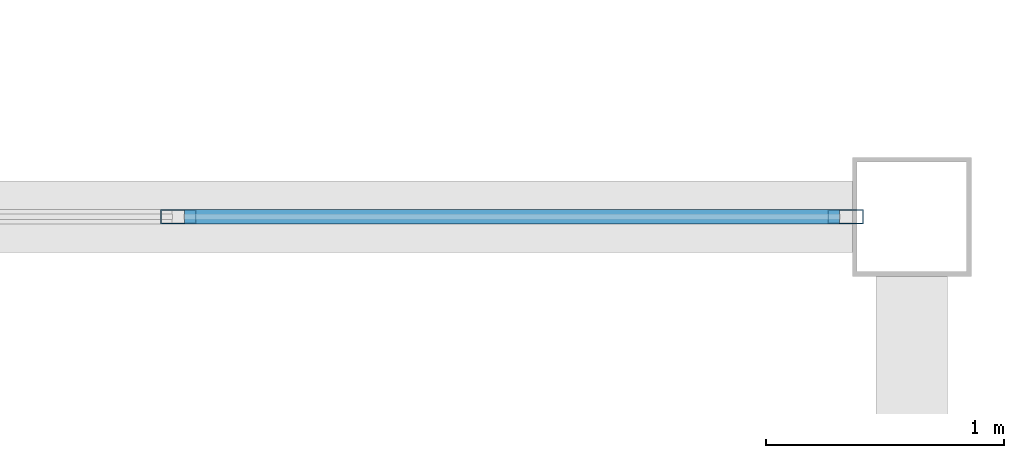
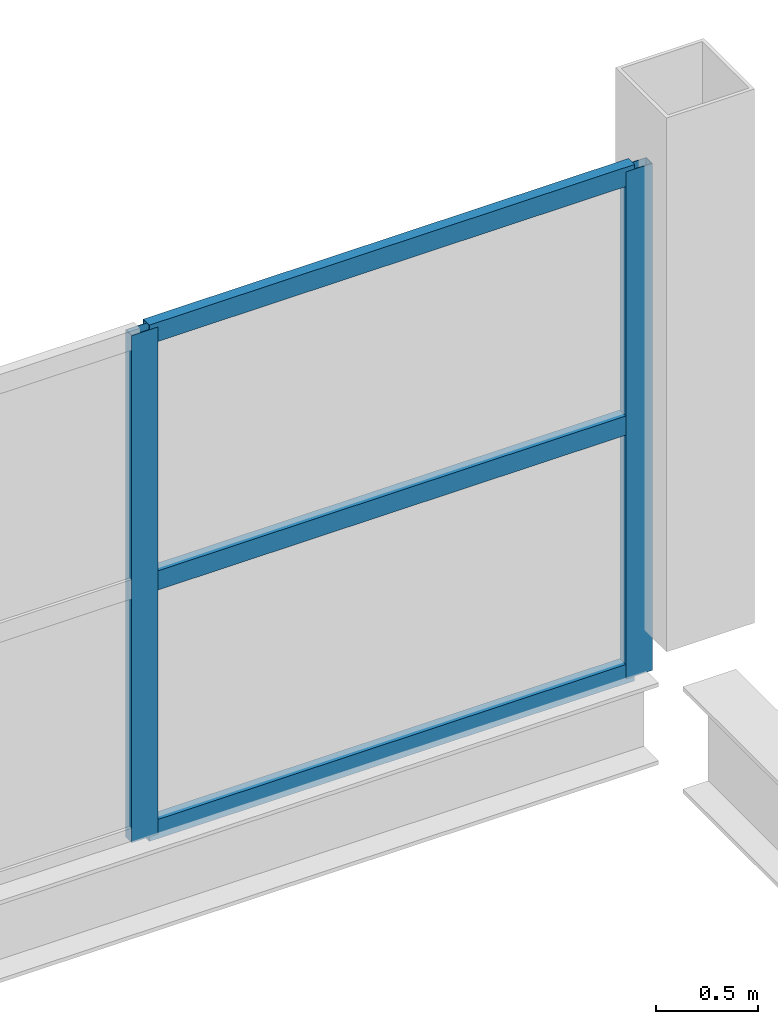
# One storey, part 50 of 134: 5 members, 1 element without a shape of its own.
"""IFC4 building model written with IfcOpenShell, lengths in metres."""

from ifc_helpers import new_model, si_unit, direction, frame, origin, origin_2d, place, context, subcontext, project, spatial, hollow_rectangle, extrude, material, layer, layer_set, material_profile, profile_set, type_object, element, aggregate, save


model = new_model("IFC4")

# Units and contexts
model_context = context("Model", 3, precision=1e-05, world=origin(), true_north=direction((0.0, 1.0)))
body_context = subcontext(model_context, "Body", "Model", "MODEL_VIEW")
ifc_project = project(units=[si_unit("LENGTHUNIT", "METRE"), si_unit("AREAUNIT", "SQUARE_METRE"), si_unit("VOLUMEUNIT", "CUBIC_METRE"), si_unit("PLANEANGLEUNIT", "RADIAN"), si_unit("MASSUNIT", "GRAM", prefix="KILO")], contexts=[model_context])

# Site, building, storey
site_placement = place(None, origin())
site = spatial("IfcSite", under=ifc_project, at=site_placement, CompositionType="ELEMENT")
building_placement = place(site_placement, origin())
building = spatial("IfcBuilding", under=site, at=building_placement, Name="Tamarisk Ironworks Central Station", CompositionType="ELEMENT")
storey_placement = place(building_placement, frame((0.0, 0.0, 12.60009765625)))
storey = spatial("IfcBuildingStorey", under=building, at=storey_placement, Name="L02", CompositionType="ELEMENT", Elevation=12.60009765625)

# Curtain wall, members
ifc_material = material(Name="Anodized aluminium alloy 6063-T6", Category="aluminium")
ifc_layer = layer(ifc_material, 0.179931640625)
ifc_layer_set = layer_set([ifc_layer], Name="Anodized aluminium alloy 6063-T6")
curtain_wall_type = type_object("IfcCurtainWallType", Name="CW-08", PredefinedType="USERDEFINED", material=ifc_layer_set)
curtain_wall_placement = place(storey_placement, origin())
curtain_wall = element("IfcCurtainWall", 1, at=curtain_wall_placement, inside=storey, type_object=curtain_wall_type, Name="Train shed WN clerestory curtain wall 036", ObjectType="GLAZED CURTAIN WALL", PredefinedType="USERDEFINED")
ifc_material_profile_1 = material_profile(ifc_material, hollow_rectangle(XDim=0.06005859375, YDim=0.14990234375, WallThickness=0.00341796875, at=origin_2d()), Name="ALUM 150x60")
ifc_profile_set_1 = profile_set([ifc_material_profile_1], Name="Anodized aluminium alloy 6063-T6")
member_type_1 = type_object("IfcMemberType", Name="CWM-03", PredefinedType="MULLION", material=ifc_profile_set_1)
member_1_placement = place(storey_placement, frame((41.918701171875, 79.199951171875, -0.260009765625), z_axis=(0.0, 0.0, 1.0), x_axis=(0.0, 1.0, 0.0)))
member_1 = element("IfcMember", 2, at=member_1_placement, type_object=member_type_1, Name="CW08 mullion 3", PredefinedType="MULLION", context=body_context, shape_type="SweptSolid", body=[
    extrude(hollow_rectangle(XDim=0.06005859375, YDim=0.14990234375, WallThickness=0.00341796875, at=origin_2d()), origin(), (0.0, 0.0, 1.0), 3.039794921875),
])
member_2_placement = place(storey_placement, frame((44.721923828125, 79.199951171875, -0.260009765625), z_axis=(0.0, 0.0, 1.0), x_axis=(0.0, 1.0, 0.0)))
member_2 = element("IfcMember", 3, at=member_2_placement, type_object=member_type_1, Name="CW08 mullion 4", PredefinedType="MULLION", context=body_context, shape_type="SweptSolid", body=[
    extrude(hollow_rectangle(XDim=0.06005859375, YDim=0.14990234375, WallThickness=0.00341796875, at=origin_2d()), origin(), (0.0, 0.0, 1.0), 3.039794921875),
])
ifc_material_profile_2 = material_profile(ifc_material, hollow_rectangle(XDim=0.06005859375, YDim=0.114990234375, WallThickness=0.00341796875, at=origin_2d()), Name="ALUM 115x60")
ifc_profile_set_2 = profile_set([ifc_material_profile_2], Name="Anodized aluminium alloy 6063-T6")
member_type_2 = type_object("IfcMemberType", Name="CWT-03", PredefinedType="USERDEFINED", material=ifc_profile_set_2)
member_3_placement = place(storey_placement, frame((41.944580078125, 79.199951171875, -0.22998046875), z_axis=(1.0, 0.0, 0.0), x_axis=(0.0, 1.0, 0.0)))
member_3 = element("IfcMember", 4, at=member_3_placement, type_object=member_type_2, Name="CW08 transom 3.1", ObjectType="TRANSOM", PredefinedType="USERDEFINED", context=body_context, shape_type="SweptSolid", body=[
    extrude(hollow_rectangle(XDim=0.06005859375, YDim=0.114990234375, WallThickness=0.00341796875, at=origin_2d()), origin(), (0.0, 0.0, 1.0), 2.75146484375),
])
member_4_placement = place(storey_placement, frame((41.944580078125, 79.199951171875, 1.260009765625), z_axis=(1.0, 0.0, 0.0), x_axis=(0.0, 1.0, 0.0)))
member_4 = element("IfcMember", 5, at=member_4_placement, type_object=member_type_2, Name="CW08 transom 3.2", ObjectType="TRANSOM", PredefinedType="USERDEFINED", context=body_context, shape_type="SweptSolid", body=[
    extrude(hollow_rectangle(XDim=0.06005859375, YDim=0.114990234375, WallThickness=0.00341796875, at=origin_2d()), origin(), (0.0, 0.0, 1.0), 2.75146484375),
])
member_5_placement = place(storey_placement, frame((41.944580078125, 79.199951171875, 2.75), z_axis=(1.0, 0.0, 0.0), x_axis=(0.0, 1.0, 0.0)))
member_5 = element("IfcMember", 6, at=member_5_placement, type_object=member_type_2, Name="CW08 transom 3.3", ObjectType="TRANSOM", PredefinedType="USERDEFINED", context=body_context, shape_type="SweptSolid", body=[
    extrude(hollow_rectangle(XDim=0.06005859375, YDim=0.114990234375, WallThickness=0.00341796875, at=origin_2d()), origin(), (0.0, 0.0, 1.0), 2.75146484375),
])
aggregate(curtain_wall, [member_1, member_2, member_3, member_4, member_5])

save(model, "model.ifc")
